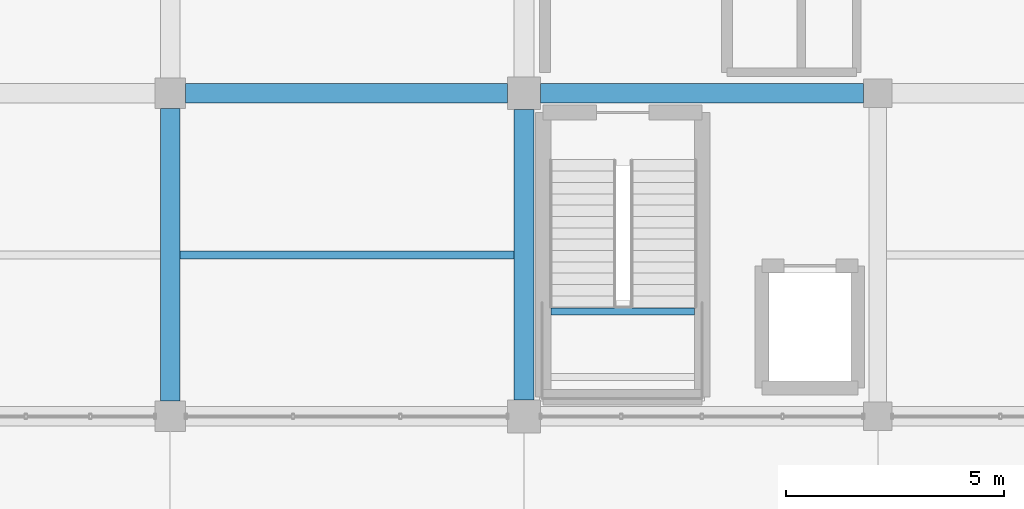
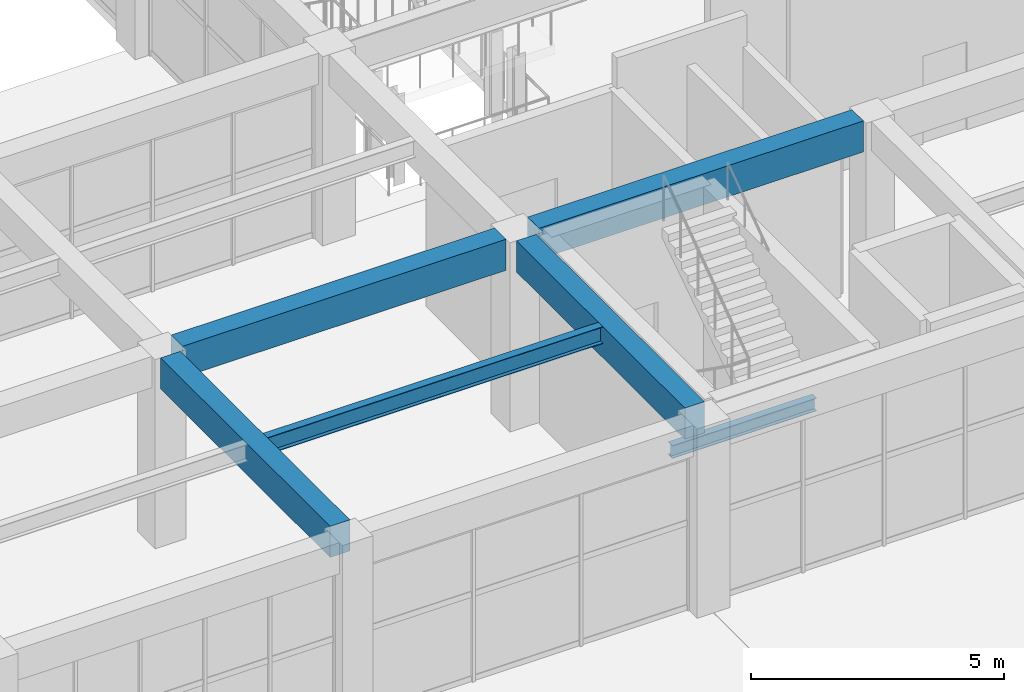
# One storey, part 36 of 161: 6 beams.
"""IFC4 building model written with IfcOpenShell, lengths in metres."""

from ifc_helpers import new_model, si_unit, direction, frame, origin, origin_2d, place, context, subcontext, project, spatial, rectangle, i_section, extrude, material, material_profile, profile_set, type_object, element, save


model = new_model("IFC4")

# Units and contexts
model_context = context("Model", 3, precision=1e-05, world=origin(), true_north=direction((0.0, 1.0)))
body_context = subcontext(model_context, "Body", "Model", "MODEL_VIEW")
ifc_project = project(units=[si_unit("LENGTHUNIT", "METRE"), si_unit("AREAUNIT", "SQUARE_METRE"), si_unit("VOLUMEUNIT", "CUBIC_METRE"), si_unit("PLANEANGLEUNIT", "RADIAN"), si_unit("MASSUNIT", "GRAM", prefix="KILO")], contexts=[model_context])

# Site, building, storey
site_placement = place(None, origin())
site = spatial("IfcSite", under=ifc_project, at=site_placement, CompositionType="ELEMENT")
building_placement = place(site_placement, origin())
building = spatial("IfcBuilding", under=site, at=building_placement, Name="Cimatlan Art Gallery", CompositionType="ELEMENT")
storey_placement = place(building_placement, frame((0.0, 0.0, 5.39990234375)))
storey = spatial("IfcBuildingStorey", under=building, at=storey_placement, Name="L01", CompositionType="ELEMENT", Elevation=5.39990234375)

# Beams
ifc_material_1 = material(Name="Concrete C40/50", Category="concrete")
ifc_material_profile_1 = material_profile(ifc_material_1, rectangle(XDim=0.449951171875, YDim=0.75, at=origin_2d()), Name="RC450X750")
ifc_profile_set_1 = profile_set([ifc_material_profile_1], Name="Concrete C40/50")
beam_type_1 = type_object("IfcBeamType", Name="BM-RC-450X750", PredefinedType="BEAM", material=ifc_profile_set_1)
beam_1_placement = place(storey_placement, frame((66.800048828125, 24.25, 4.18505859375), z_axis=(0.0, 1.0, 0.0), x_axis=(-1.0, 0.0, 0.0)))
element("IfcBeam", 1, at=beam_1_placement, inside=storey, type_object=beam_type_1, Name="BM-Y-L01-08-03", PredefinedType="BEAM", context=body_context, shape_type="SweptSolid", body=[
    extrude(rectangle(XDim=0.449951171875, YDim=0.75, at=origin_2d()), origin(), (0.0, 0.0, 1.0), 6.699951171875),
])
beam_2_placement = place(storey_placement, frame((74.89990234375, 24.27490234375, 4.18505859375), z_axis=(0.0, 1.0, 0.0), x_axis=(-1.0, 0.0, 0.0)))
element("IfcBeam", 2, at=beam_2_placement, inside=storey, type_object=beam_type_1, Name="BM-Y-L01-09-03", PredefinedType="BEAM", context=body_context, shape_type="SweptSolid", body=[
    extrude(rectangle(XDim=0.449951171875, YDim=0.75, at=origin_2d()), origin(), (0.0, 0.0, 1.0), 6.650146484375),
])
beam_3_placement = place(storey_placement, frame((67.14990234375, 31.300048828125, 4.18505859375), z_axis=(1.0, 0.0, 0.0), x_axis=(0.0, 1.0, 0.0)))
element("IfcBeam", 3, at=beam_3_placement, inside=storey, type_object=beam_type_1, Name="BM-X-L01-08-04", PredefinedType="BEAM", context=body_context, shape_type="SweptSolid", body=[
    extrude(rectangle(XDim=0.449951171875, YDim=0.75, at=origin_2d()), origin(), (0.0, 0.0, 1.0), 7.375),
])
beam_4_placement = place(storey_placement, frame((75.27490234375, 31.300048828125, 4.18505859375), z_axis=(1.0, 0.0, 0.0), x_axis=(0.0, 1.0, 0.0)))
element("IfcBeam", 4, at=beam_4_placement, inside=storey, type_object=beam_type_1, Name="BM-X-L01-09-04", PredefinedType="BEAM", context=body_context, shape_type="SweptSolid", body=[
    extrude(rectangle(XDim=0.449951171875, YDim=0.75, at=origin_2d()), origin(), (0.0, 0.0, 1.0), 7.400146484375),
])
ifc_material_2 = material(Name="Steel ASTM A992 Grade 50", Category="steel")
ifc_material_profile_2 = material_profile(ifc_material_2, i_section(OverallWidth=0.1650390625, OverallDepth=0.31005859375, WebThickness=0.005859375, FlangeThickness=0.009765625, at=origin_2d()), Name="W12X26")
ifc_profile_set_2 = profile_set([ifc_material_profile_2], Name="Steel ASTM A992 Grade 50")
beam_type_2 = type_object("IfcBeamType", Name="BM-STL-W12X26", PredefinedType="JOIST", material=ifc_profile_set_2)
beam_5_placement = place(storey_placement, frame((75.514892578125, 26.300048828125, 2.025146484375), z_axis=(1.0, 0.0, 0.0), x_axis=(0.0, 1.0, 0.0)))
element("IfcBeam", 5, at=beam_5_placement, inside=storey, type_object=beam_type_2, Name="BM-STR-C3-L01-LH2", PredefinedType="JOIST", context=body_context, shape_type="SweptSolid", body=[
    extrude(i_section(OverallWidth=0.1650390625, OverallDepth=0.31005859375, WebThickness=0.005859375, FlangeThickness=0.009765625, at=origin_2d()), origin(), (0.0, 0.0, 1.0), 3.2900390625),
])
ifc_material_profile_3 = material_profile(ifc_material_2, i_section(OverallWidth=0.177978515625, OverallDepth=0.406982421875, WebThickness=0.0078125, FlangeThickness=0.0126953125, at=origin_2d()), Name="W16X40")
ifc_profile_set_3 = profile_set([ifc_material_profile_3], Name="Steel ASTM A992 Grade 50")
beam_type_3 = type_object("IfcBeamType", Name="BM-STL-W16X40", PredefinedType="JOIST", material=ifc_profile_set_3)
beam_6_placement = place(storey_placement, frame((67.02490234375, 27.60009765625, 4.356689453125), z_axis=(1.0, 0.0, 0.0), x_axis=(0.0, 1.0, 0.0)))
element("IfcBeam", 6, at=beam_6_placement, inside=storey, type_object=beam_type_3, Name="JST-L01-08-03", PredefinedType="JOIST", context=body_context, shape_type="SweptSolid", body=[
    extrude(i_section(OverallWidth=0.177978515625, OverallDepth=0.406982421875, WebThickness=0.0078125, FlangeThickness=0.0126953125, at=origin_2d()), origin(), (0.0, 0.0, 1.0), 7.650146484375),
])

save(model, "model.ifc")
